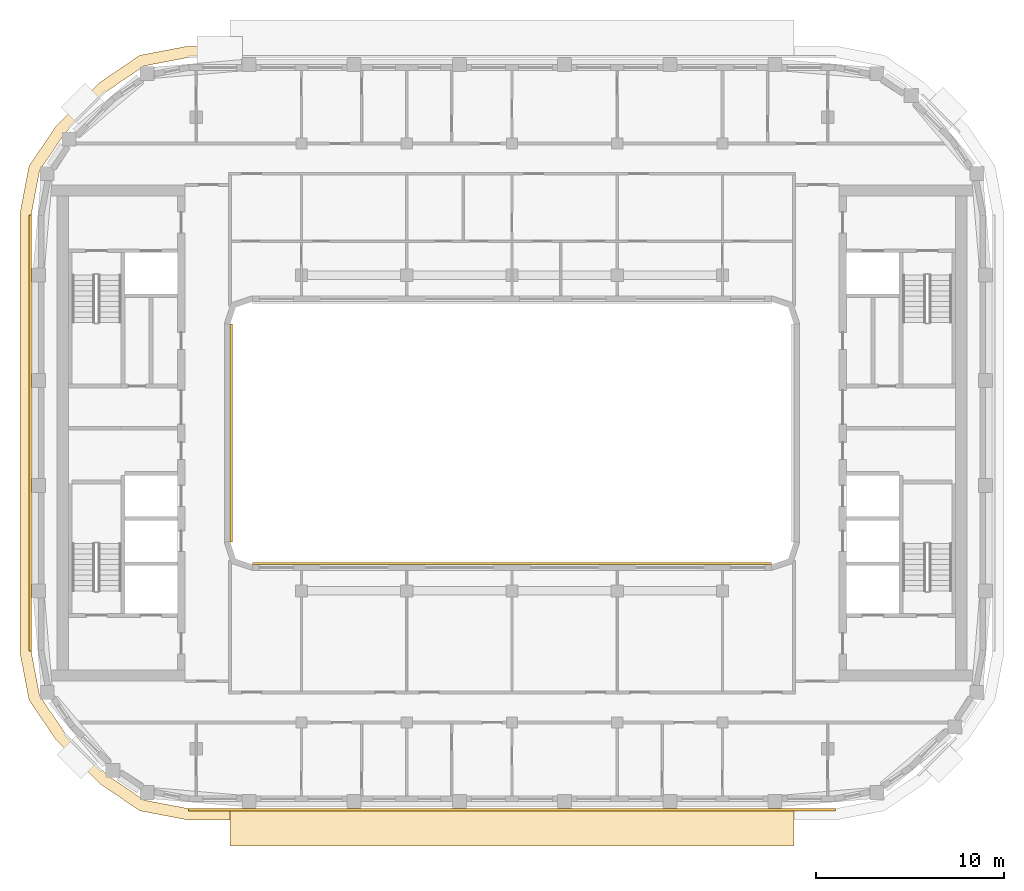
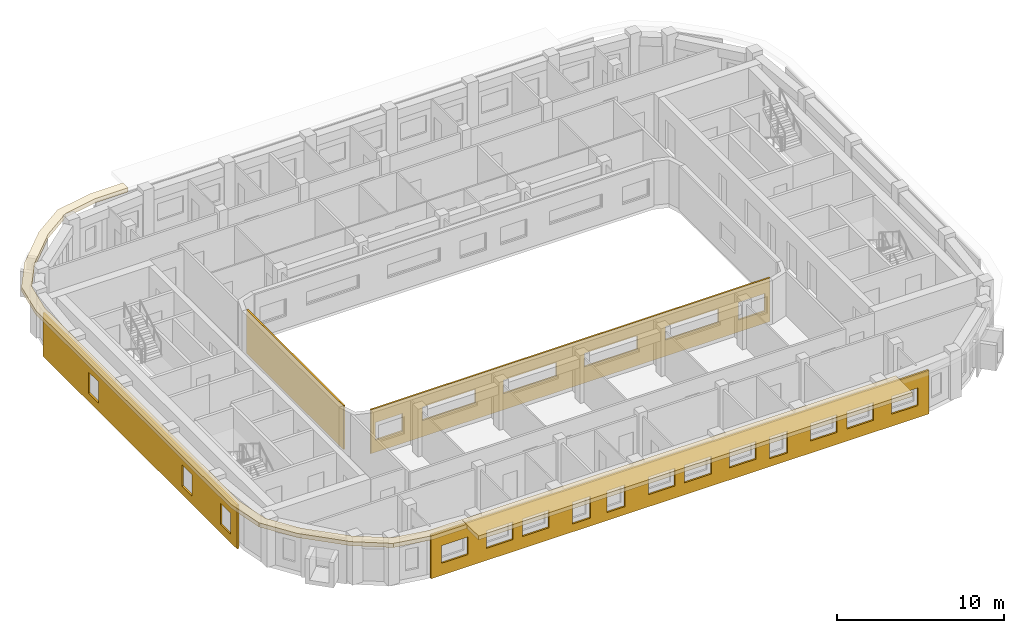
# One storey, part 11 of 16: 6 coverings.
"""IFC4 building model written with IfcOpenShell, lengths in metres."""

from ifc_helpers import new_model, si_unit, direction, frame, origin, place, context, subcontext, project, spatial, polyline, outline, extrude, material, layer, layer_set, type_object, element, save


model = new_model("IFC4")

# Units and contexts
model_context = context("Model", 3, precision=1e-05, world=origin(), true_north=direction((0.0, 1.0)))
body_context = subcontext(model_context, "Body", "Model", "MODEL_VIEW")
ifc_project = project(units=[si_unit("LENGTHUNIT", "METRE"), si_unit("AREAUNIT", "SQUARE_METRE"), si_unit("VOLUMEUNIT", "CUBIC_METRE"), si_unit("PLANEANGLEUNIT", "RADIAN"), si_unit("MASSUNIT", "GRAM", prefix="KILO")], contexts=[model_context])

# Site, building, storey
site_placement = place(None, origin())
site = spatial("IfcSite", under=ifc_project, at=site_placement, CompositionType="ELEMENT")
building_placement = place(site_placement, origin())
building = spatial("IfcBuilding", under=site, at=building_placement, Name="Kiln Ring Residences", CompositionType="ELEMENT")
storey_placement = place(building_placement, frame((0.0, 0.0, 276.699951171875)))
storey = spatial("IfcBuildingStorey", under=building, at=storey_placement, Name="L72", CompositionType="ELEMENT", Elevation=276.699951171875)

# Coverings
ifc_material_1 = material(Name="Brick masonry, dark clay brick", Category="masonry")
ifc_layer_1 = layer(ifc_material_1, 0.1201171875)
ifc_layer_set_1 = layer_set([ifc_layer_1], Name="RAINSCREEN PANEL 120")
covering_type_1 = type_object("IfcCoveringType", Name="RAINSCREEN PANEL 120", PredefinedType="CLADDING", material=ifc_layer_set_1)
covering_1_placement = place(storey_placement, frame((-17.199951171875, -20.034912109375, 0.0), z_axis=(0.0, 0.0, 1.0), x_axis=(1.0, 0.0, 0.0)))
element("IfcCovering", 1, at=covering_1_placement, inside=storey, type_object=covering_type_1, Name="RAINSCREEN L72", PredefinedType="CLADDING", context=body_context, shape_type="SweptSolid", body=[
    extrude(outline(polyline([(0.0, 0.0), (34.39990234375, 0.0), (34.39990234375, 3.199951171875), (0.0, 3.199951171875), (0.0, 0.0)]), holes=[polyline([(9.780029296875, 0.580078125), (11.02001953125, 0.580078125), (11.02001953125, 2.170166015625), (9.780029296875, 2.170166015625), (9.780029296875, 0.580078125)]), polyline([(12.179931640625, 2.170166015625), (12.179931640625, 0.580078125), (13.419921875, 0.580078125), (13.419921875, 2.170166015625), (12.179931640625, 2.170166015625)]), polyline([(0.72998046875, 2.170166015625), (0.72998046875, 0.880126953125), (2.570068359375, 0.880126953125), (2.570068359375, 2.170166015625), (0.72998046875, 2.170166015625)]), polyline([(3.830078125, 0.880126953125), (5.669921875, 0.880126953125), (5.669921875, 2.170166015625), (3.830078125, 2.170166015625), (3.830078125, 0.880126953125)]), polyline([(6.330078125, 2.170166015625), (6.330078125, 0.880126953125), (8.169921875, 0.880126953125), (8.169921875, 2.170166015625), (6.330078125, 2.170166015625)]), polyline([(15.030029296875, 2.170166015625), (15.030029296875, 0.880126953125), (16.8701171875, 0.880126953125), (16.8701171875, 2.170166015625), (15.030029296875, 2.170166015625)]), polyline([(23.3798828125, 0.580078125), (24.6201171875, 0.580078125), (24.6201171875, 2.170166015625), (23.3798828125, 2.170166015625), (23.3798828125, 0.580078125)]), polyline([(17.530029296875, 2.170166015625), (17.530029296875, 0.880126953125), (19.3701171875, 0.880126953125), (19.3701171875, 2.170166015625), (17.530029296875, 2.170166015625)]), polyline([(20.6298828125, 2.170166015625), (20.6298828125, 0.880126953125), (22.469970703125, 0.880126953125), (22.469970703125, 2.170166015625), (20.6298828125, 2.170166015625)]), polyline([(26.22998046875, 0.880126953125), (28.070068359375, 0.880126953125), (28.070068359375, 2.170166015625), (26.22998046875, 2.170166015625), (26.22998046875, 0.880126953125)]), polyline([(28.72998046875, 2.170166015625), (28.72998046875, 0.880126953125), (30.570068359375, 0.880126953125), (30.570068359375, 2.170166015625), (28.72998046875, 2.170166015625)]), polyline([(31.830078125, 2.170166015625), (31.830078125, 0.880126953125), (33.669921875, 0.880126953125), (33.669921875, 2.170166015625), (31.830078125, 2.170166015625)])]), frame((0.0, 0.06005859375, 0.0), z_axis=(0.0, -1.0, 0.0), x_axis=(1.0, 0.0, 0.0)), (0.0, 0.0, 1.0), 0.1201171875),
])
covering_2_placement = place(storey_placement, frame((-25.635009765625, 11.60009765625, 0.0), z_axis=(0.0, 0.0, 1.0), x_axis=(0.0, -1.0, 0.0)))
element("IfcCovering", 2, at=covering_2_placement, inside=storey, type_object=covering_type_1, Name="RAINSCREEN L72", PredefinedType="CLADDING", context=body_context, shape_type="SweptSolid", body=[
    extrude(outline(polyline([(0.0, 0.0), (23.199951171875, 0.0), (23.199951171875, 3.199951171875), (0.0, 3.199951171875), (0.0, 0.0)]), holes=[polyline([(6.60009765625, 2.150146484375), (5.39990234375, 2.150146484375), (5.39990234375, 0.60009765625), (6.60009765625, 0.60009765625), (6.60009765625, 2.150146484375)]), polyline([(17.800048828125, 0.60009765625), (17.800048828125, 2.150146484375), (16.60009765625, 2.150146484375), (16.60009765625, 0.60009765625), (17.800048828125, 0.60009765625)]), polyline([(22.387451171875, 0.60009765625), (22.387451171875, 2.150146484375), (21.1875, 2.150146484375), (21.1875, 0.60009765625), (22.387451171875, 0.60009765625)])]), frame((0.0, 0.06005859375, 0.0), z_axis=(0.0, -1.0, 0.0), x_axis=(1.0, 0.0, 0.0)), (0.0, 0.0, 1.0), 0.1201171875),
])
covering_3_placement = place(storey_placement, frame((-14.93994140625, -5.800048828125, 0.0), z_axis=(0.0, 0.0, 1.0), x_axis=(0.0, 1.0, 0.0)))
element("IfcCovering", 3, at=covering_3_placement, inside=storey, type_object=covering_type_1, Name="RAINSCREEN L72", PredefinedType="CLADDING", context=body_context, shape_type="SweptSolid", body=[
    extrude(outline(polyline([(0.0, 0.0), (11.60009765625, 0.0), (11.60009765625, 3.199951171875), (0.0, 3.199951171875), (0.0, 0.0)])), frame((0.0, 0.06005859375, 0.0), z_axis=(0.0, -1.0, 0.0), x_axis=(1.0, 0.0, 0.0)), (0.0, 0.0, 1.0), 0.1201171875),
])
covering_4_placement = place(storey_placement, frame((13.800048828125, -6.93994140625, 0.0), z_axis=(0.0, 0.0, 1.0), x_axis=(-1.0, 0.0, 0.0)))
element("IfcCovering", 4, at=covering_4_placement, inside=storey, type_object=covering_type_1, Name="RAINSCREEN L72", PredefinedType="CLADDING", context=body_context, shape_type="SweptSolid", body=[
    extrude(outline(polyline([(0.0, 0.0), (27.60009765625, 0.0), (27.60009765625, 3.199951171875), (0.0, 3.199951171875), (0.0, 0.0)]), holes=[polyline([(2.1826171875, 0.880126953125), (2.1826171875, 2.170166015625), (0.342529296875, 2.170166015625), (0.342529296875, 0.880126953125), (2.1826171875, 0.880126953125)]), polyline([(25.41748046875, 0.880126953125), (27.257568359375, 0.880126953125), (27.257568359375, 2.170166015625), (25.41748046875, 2.170166015625), (25.41748046875, 0.880126953125)]), polyline([(3.580078125, 1.179931640625), (7.219970703125, 1.179931640625), (7.219970703125, 2.170166015625), (3.580078125, 2.170166015625), (3.580078125, 1.179931640625)]), polyline([(12.820068359375, 1.179931640625), (12.820068359375, 2.170166015625), (9.179931640625, 2.170166015625), (9.179931640625, 1.179931640625), (12.820068359375, 1.179931640625)]), polyline([(14.780029296875, 1.179931640625), (18.419921875, 1.179931640625), (18.419921875, 2.170166015625), (14.780029296875, 2.170166015625), (14.780029296875, 1.179931640625)]), polyline([(20.3798828125, 1.179931640625), (24.02001953125, 1.179931640625), (24.02001953125, 2.170166015625), (20.3798828125, 2.170166015625), (20.3798828125, 1.179931640625)])]), frame((0.0, 0.06005859375, 0.0), z_axis=(0.0, -1.0, 0.0), x_axis=(1.0, 0.0, 0.0)), (0.0, 0.0, 1.0), 0.1201171875),
])
ifc_material_2 = material(Name="Black powder-coated steel", Category="steel")
ifc_layer_2 = layer(ifc_material_2, 0.300048828125)
ifc_layer_set_2 = layer_set([ifc_layer_2], Name="SUNSHADE BAND 2000")
covering_type_2 = type_object("IfcCoveringType", Name="SUNSHADE BAND 2000", PredefinedType="CLADDING", material=ifc_layer_set_2)
placement = place(storey_placement, frame((0.0, 0.0, 3.199951171875)))
element("IfcCovering", 5, at=placement, inside=storey, type_object=covering_type_2, Name="SUNSHADE BAND L72", PredefinedType="CLADDING", context=body_context, shape_type="SweptSolid", body=[
    extrude(outline(polyline([(-15.0, -21.97509765625), (15.0, -21.97509765625), (15.0, -19.97509765625), (-15.0, -19.97509765625), (-15.0, -21.97509765625)])), origin(), (0.0, 0.0, 1.0), 0.300048828125),
])
ifc_material_3 = material(Name="Black powder-coated steel", Category="steel")
ifc_layer_3 = layer(ifc_material_3, 0.300048828125)
ifc_layer_set_3 = layer_set([ifc_layer_3], Name="SUNSHADE FIN 600")
covering_type_3 = type_object("IfcCoveringType", Name="SUNSHADE FIN 600", PredefinedType="CLADDING", material=ifc_layer_set_3)
element("IfcCovering", 6, at=placement, inside=storey, type_object=covering_type_3, Name="SUNSHADE FIN L72", PredefinedType="CLADDING", context=body_context, shape_type="SweptSolid", body=[
    extrude(outline(polyline([(-26.175048828125, -11.692138671875), (-25.695556640625, -14.205322265625), (-24.257568359375, -16.3212890625), (-21.92138671875, -18.657470703125), (-19.805419921875, -20.095703125), (-17.292236328125, -20.574951171875), (-15.0, -20.574951171875), (-15.0, -19.97509765625), (-17.2353515625, -19.97509765625), (-19.57080078125, -19.529541015625), (-21.537109375, -18.193115234375), (-23.793212890625, -15.937255859375), (-25.12939453125, -13.970703125), (-25.574951171875, -11.635498046875), (-25.574951171875, 11.635498046875), (-25.12939453125, 13.970703125), (-23.793212890625, 15.937255859375), (-21.537109375, 18.193115234375), (-19.57080078125, 19.529541015625), (-17.2353515625, 19.97509765625), (-15.0, 19.97509765625), (-15.0, 20.574951171875), (-17.292236328125, 20.574951171875), (-19.805419921875, 20.095703125), (-21.92138671875, 18.657470703125), (-24.257568359375, 16.3212890625), (-25.695556640625, 14.205322265625), (-26.175048828125, 11.692138671875), (-26.175048828125, -11.692138671875)])), origin(), (0.0, 0.0, 1.0), 0.300048828125),
])

save(model, "model.ifc")
